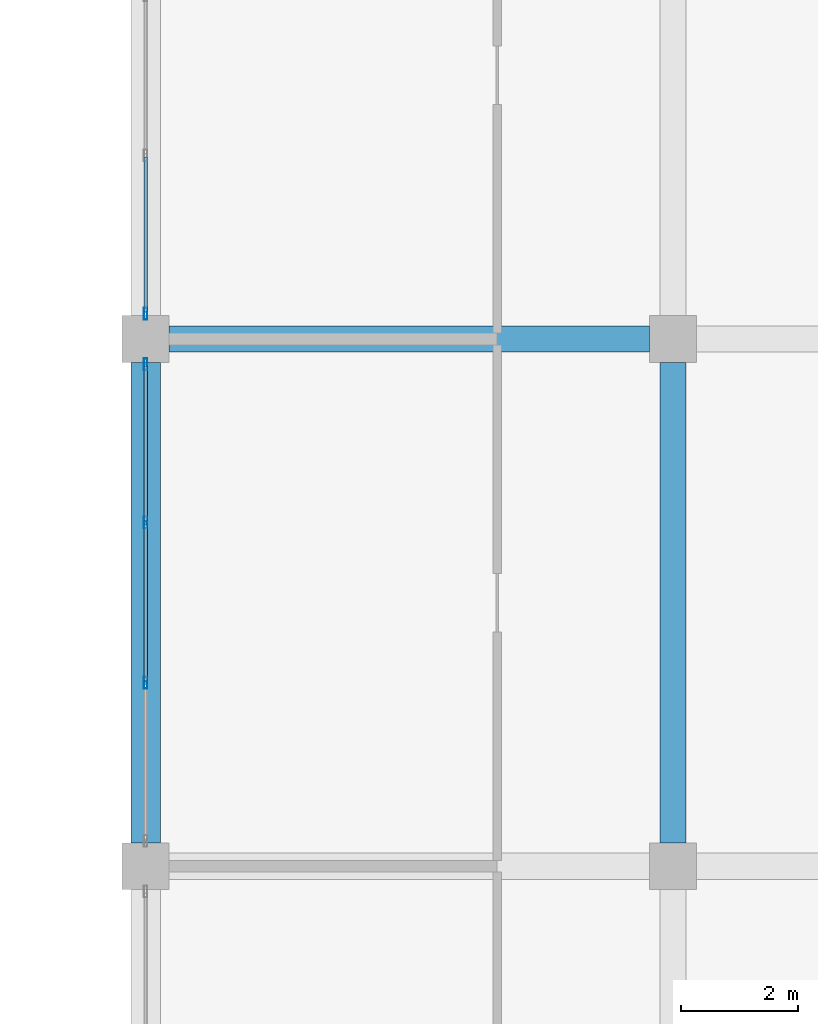
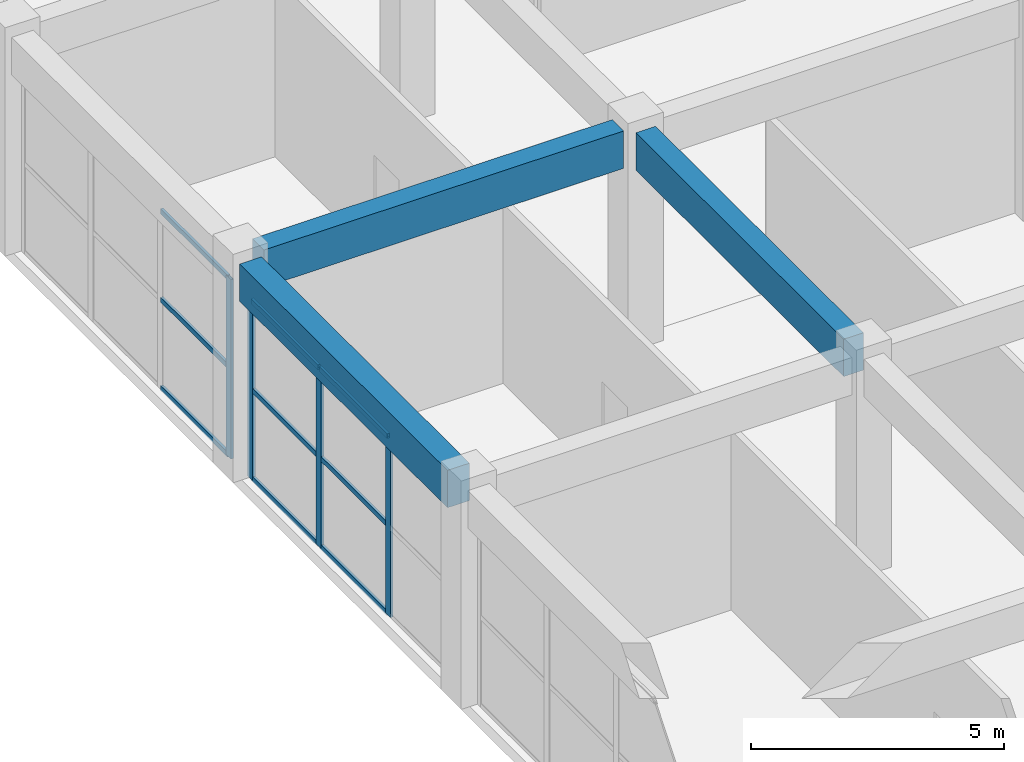
# One storey, part 204 of 437: 13 members, 3 beams, 2 elements without a shape of their own.
"""IFC4 building model written with IfcOpenShell, lengths in metres."""

from ifc_helpers import new_model, si_unit, direction, frame, origin, origin_2d, place, context, subcontext, project, spatial, rectangle, hollow_rectangle, extrude, material, layer, layer_set, material_profile, profile_set, type_object, element, aggregate, save


model = new_model("IFC4")

# Units and contexts
model_context = context("Model", 3, precision=1e-05, world=origin(), true_north=direction((0.0, 1.0)))
body_context = subcontext(model_context, "Body", "Model", "MODEL_VIEW")
ifc_project = project(units=[si_unit("LENGTHUNIT", "METRE"), si_unit("AREAUNIT", "SQUARE_METRE"), si_unit("VOLUMEUNIT", "CUBIC_METRE"), si_unit("PLANEANGLEUNIT", "RADIAN"), si_unit("MASSUNIT", "GRAM", prefix="KILO")], contexts=[model_context])

# Site, building, storey
site_placement = place(None, origin())
site = spatial("IfcSite", under=ifc_project, at=site_placement, CompositionType="ELEMENT")
building_placement = place(site_placement, origin())
building = spatial("IfcBuilding", under=site, at=building_placement, Name="Opaline Strait Convention Centre", CompositionType="ELEMENT")
storey_placement = place(building_placement, frame((0.0, 0.0, 11.5)))
storey = spatial("IfcBuildingStorey", under=building, at=storey_placement, Name="L02", CompositionType="ELEMENT", Elevation=11.5)

# Curtain wall, members
ifc_material_1 = material(Name="Aluminium framed double glazing", Category="aluminium")
ifc_layer = layer(ifc_material_1, 0.199951171875)
ifc_layer_set = layer_set([ifc_layer], Name="Aluminium framed double glazing")
curtain_wall_type = type_object("IfcCurtainWallType", Name="Curtain wall 3000 module unitised", PredefinedType="NOTDEFINED", material=ifc_layer_set)
curtain_wall_1_placement = place(storey_placement, origin())
curtain_wall_1 = element("IfcCurtainWall", 1, at=curtain_wall_1_placement, inside=storey, type_object=curtain_wall_type, Name="Curtain wall W L02 32/Q", PredefinedType="NOTDEFINED")
ifc_material_2 = material(Name="Aluminium alloy 6063", Category="aluminium")
ifc_material_profile_1 = material_profile(ifc_material_2, hollow_rectangle(XDim=0.06005859375, YDim=0.199951171875, WallThickness=0.00390625, at=origin_2d()), Name="MULLION 60x200x4")
ifc_profile_set_1 = profile_set([ifc_material_profile_1], Name="Aluminium alloy 6063")
member_type_1 = type_object("IfcMemberType", Name="Curtain wall mullion 60 x 200", PredefinedType="MULLION", material=ifc_profile_set_1)
member_1_placement = place(storey_placement, frame((279.0, 129.13330078125, 0.0), z_axis=(0.0, 0.0, 1.0), x_axis=(-1.0, 0.0, 0.0)))
member_1 = element("IfcMember", 2, at=member_1_placement, type_object=member_type_1, Name="MCWR1 mullion 2", PredefinedType="MULLION", context=body_context, shape_type="SweptSolid", body=[
    extrude(hollow_rectangle(XDim=0.06005859375, YDim=0.199951171875, WallThickness=0.00390625, at=origin_2d()), origin(), (0.0, 0.0, 1.0), 4.320068359375),
])
member_2_placement = place(storey_placement, frame((279.0, 131.86669921875, 0.0), z_axis=(0.0, 0.0, 1.0), x_axis=(-1.0, 0.0, 0.0)))
member_2 = element("IfcMember", 3, at=member_2_placement, type_object=member_type_1, Name="MCWR1 mullion 3", PredefinedType="MULLION", context=body_context, shape_type="SweptSolid", body=[
    extrude(hollow_rectangle(XDim=0.06005859375, YDim=0.199951171875, WallThickness=0.00390625, at=origin_2d()), origin(), (0.0, 0.0, 1.0), 4.320068359375),
])
member_3_placement = place(storey_placement, frame((279.0, 134.570068359375, 0.0), z_axis=(0.0, 0.0, 1.0), x_axis=(-1.0, 0.0, 0.0)))
member_3 = element("IfcMember", 4, at=member_3_placement, type_object=member_type_1, Name="MCWR1 mullion 4", PredefinedType="MULLION", context=body_context, shape_type="SweptSolid", body=[
    extrude(hollow_rectangle(XDim=0.06005859375, YDim=0.199951171875, WallThickness=0.00390625, at=origin_2d()), origin(), (0.0, 0.0, 1.0), 4.320068359375),
])

# Curtain wall, member
curtain_wall_2_placement = place(storey_placement, origin())
curtain_wall_2 = element("IfcCurtainWall", 5, at=curtain_wall_2_placement, inside=storey, type_object=curtain_wall_type, Name="Curtain wall W L02 32/R", PredefinedType="NOTDEFINED")
member_4_placement = place(storey_placement, frame((279.0, 135.429931640625, 0.0), z_axis=(0.0, 0.0, 1.0), x_axis=(-1.0, 0.0, 0.0)))
member_4 = element("IfcMember", 6, at=member_4_placement, type_object=member_type_1, Name="MCWR1 mullion 1", PredefinedType="MULLION", context=body_context, shape_type="SweptSolid", body=[
    extrude(hollow_rectangle(XDim=0.06005859375, YDim=0.199951171875, WallThickness=0.00390625, at=origin_2d()), origin(), (0.0, 0.0, 1.0), 4.320068359375),
])

# Member
ifc_material_profile_2 = material_profile(ifc_material_2, hollow_rectangle(XDim=0.06005859375, YDim=0.1201171875, WallThickness=0.0029296875, at=origin_2d()), Name="TRANSOM 60x120x3")
ifc_profile_set_2 = profile_set([ifc_material_profile_2], Name="Aluminium alloy 6063")
member_type_2 = type_object("IfcMemberType", Name="Curtain wall transom 60 x 120", PredefinedType="USERDEFINED", material=ifc_profile_set_2)
member_5_placement = place(storey_placement, frame((279.0, 129.163330078125, 0.030029296875), z_axis=(0.0, 1.0, 0.0), x_axis=(-1.0, 0.0, 0.0)))
member_5 = element("IfcMember", 7, at=member_5_placement, type_object=member_type_2, Name="MCWR1 transom 2.1", ObjectType="TRANSOM", PredefinedType="USERDEFINED", context=body_context, shape_type="SweptSolid", body=[
    extrude(hollow_rectangle(XDim=0.06005859375, YDim=0.1201171875, WallThickness=0.0029296875, at=origin_2d()), origin(), (0.0, 0.0, 1.0), 2.67333984375),
])

member_6_placement = place(storey_placement, frame((279.0, 129.163330078125, 2.159912109375), z_axis=(0.0, 1.0, 0.0), x_axis=(-1.0, 0.0, 0.0)))
member_6 = element("IfcMember", 8, at=member_6_placement, type_object=member_type_2, Name="MCWR1 transom 2.2", ObjectType="TRANSOM", PredefinedType="USERDEFINED", context=body_context, shape_type="SweptSolid", body=[
    extrude(hollow_rectangle(XDim=0.06005859375, YDim=0.1201171875, WallThickness=0.0029296875, at=origin_2d()), origin(), (0.0, 0.0, 1.0), 2.67333984375),
])

member_7_placement = place(storey_placement, frame((279.0, 129.163330078125, 4.2900390625), z_axis=(0.0, 1.0, 0.0), x_axis=(-1.0, 0.0, 0.0)))
member_7 = element("IfcMember", 9, at=member_7_placement, type_object=member_type_2, Name="MCWR1 transom 2.3", ObjectType="TRANSOM", PredefinedType="USERDEFINED", context=body_context, shape_type="SweptSolid", body=[
    extrude(hollow_rectangle(XDim=0.06005859375, YDim=0.1201171875, WallThickness=0.0029296875, at=origin_2d()), origin(), (0.0, 0.0, 1.0), 2.67333984375),
])

member_8_placement = place(storey_placement, frame((279.0, 131.896728515625, 0.030029296875), z_axis=(0.0, 1.0, 0.0), x_axis=(-1.0, 0.0, 0.0)))
member_8 = element("IfcMember", 10, at=member_8_placement, type_object=member_type_2, Name="MCWR1 transom 3.1", ObjectType="TRANSOM", PredefinedType="USERDEFINED", context=body_context, shape_type="SweptSolid", body=[
    extrude(hollow_rectangle(XDim=0.06005859375, YDim=0.1201171875, WallThickness=0.0029296875, at=origin_2d()), origin(), (0.0, 0.0, 1.0), 2.643310546875),
])

member_9_placement = place(storey_placement, frame((279.0, 131.896728515625, 2.159912109375), z_axis=(0.0, 1.0, 0.0), x_axis=(-1.0, 0.0, 0.0)))
member_9 = element("IfcMember", 11, at=member_9_placement, type_object=member_type_2, Name="MCWR1 transom 3.2", ObjectType="TRANSOM", PredefinedType="USERDEFINED", context=body_context, shape_type="SweptSolid", body=[
    extrude(hollow_rectangle(XDim=0.06005859375, YDim=0.1201171875, WallThickness=0.0029296875, at=origin_2d()), origin(), (0.0, 0.0, 1.0), 2.643310546875),
])

member_10_placement = place(storey_placement, frame((279.0, 131.896728515625, 4.2900390625), z_axis=(0.0, 1.0, 0.0), x_axis=(-1.0, 0.0, 0.0)))
member_10 = element("IfcMember", 12, at=member_10_placement, type_object=member_type_2, Name="MCWR1 transom 3.3", ObjectType="TRANSOM", PredefinedType="USERDEFINED", context=body_context, shape_type="SweptSolid", body=[
    extrude(hollow_rectangle(XDim=0.06005859375, YDim=0.1201171875, WallThickness=0.0029296875, at=origin_2d()), origin(), (0.0, 0.0, 1.0), 2.643310546875),
])

aggregate(curtain_wall_1, [member_1, member_2, member_3, member_5, member_6, member_7, member_8, member_9, member_10])

member_11_placement = place(storey_placement, frame((279.0, 135.4599609375, 0.030029296875), z_axis=(0.0, 1.0, 0.0), x_axis=(-1.0, 0.0, 0.0)))
member_11 = element("IfcMember", 13, at=member_11_placement, type_object=member_type_2, Name="MCWR1 transom 1.1", ObjectType="TRANSOM", PredefinedType="USERDEFINED", context=body_context, shape_type="SweptSolid", body=[
    extrude(hollow_rectangle(XDim=0.06005859375, YDim=0.1201171875, WallThickness=0.0029296875, at=origin_2d()), origin(), (0.0, 0.0, 1.0), 2.643310546875),
])

member_12_placement = place(storey_placement, frame((279.0, 135.4599609375, 2.159912109375), z_axis=(0.0, 1.0, 0.0), x_axis=(-1.0, 0.0, 0.0)))
member_12 = element("IfcMember", 14, at=member_12_placement, type_object=member_type_2, Name="MCWR1 transom 1.2", ObjectType="TRANSOM", PredefinedType="USERDEFINED", context=body_context, shape_type="SweptSolid", body=[
    extrude(hollow_rectangle(XDim=0.06005859375, YDim=0.1201171875, WallThickness=0.0029296875, at=origin_2d()), origin(), (0.0, 0.0, 1.0), 2.643310546875),
])

member_13_placement = place(storey_placement, frame((279.0, 135.4599609375, 4.2900390625), z_axis=(0.0, 1.0, 0.0), x_axis=(-1.0, 0.0, 0.0)))
member_13 = element("IfcMember", 15, at=member_13_placement, type_object=member_type_2, Name="MCWR1 transom 1.3", ObjectType="TRANSOM", PredefinedType="USERDEFINED", context=body_context, shape_type="SweptSolid", body=[
    extrude(hollow_rectangle(XDim=0.06005859375, YDim=0.1201171875, WallThickness=0.0029296875, at=origin_2d()), origin(), (0.0, 0.0, 1.0), 2.643310546875),
])

aggregate(curtain_wall_2, [member_4, member_11, member_12, member_13])

# Beams
ifc_material_3 = material(Name="Concrete C35", Category="concrete")
ifc_material_profile_3 = material_profile(ifc_material_3, rectangle(XDim=0.449951171875, YDim=0.89990234375, at=origin_2d()), Name="RC 450x900")
ifc_profile_set_3 = profile_set([ifc_material_profile_3], Name="Concrete C35")
beam_type_1 = type_object("IfcBeamType", Name="RC beam 450x900 C35", PredefinedType="BEAM", material=ifc_profile_set_3)
for number, where, z_axis, x_axis, name in (
    (16, (279.39990234375, 135.0, 4.77001953125), (1.0, 0.0, 0.0), (0.0, 1.0, 0.0), "XB1 L02 32/R-33/R"),
    (17, (288.0, 126.39990234375, 4.77001953125), (0.0, 1.0, 0.0), (-1.0, 0.0, 0.0), "XB1 L02 33/Q-33/R"),
):
    element("IfcBeam", number, at=place(storey_placement, frame(where, z_axis=z_axis, x_axis=x_axis)), inside=storey, type_object=beam_type_1, Name=name, PredefinedType="BEAM", context=body_context, shape_type="SweptSolid", body=[
        extrude(rectangle(XDim=0.449951171875, YDim=0.89990234375, at=origin_2d()), origin(), (0.0, 0.0, 1.0), 8.2001953125),
    ])
ifc_material_profile_4 = material_profile(ifc_material_3, rectangle(XDim=0.5, YDim=0.89990234375, at=origin_2d()), Name="RC 500x900")
ifc_profile_set_4 = profile_set([ifc_material_profile_4], Name="Concrete C35")
beam_type_2 = type_object("IfcBeamType", Name="RC edge beam 500x900 C35", PredefinedType="BEAM", material=ifc_profile_set_4)
beam_placement = place(storey_placement, frame((279.0, 126.39990234375, 4.77001953125), z_axis=(0.0, 1.0, 0.0), x_axis=(-1.0, 0.0, 0.0)))
element("IfcBeam", 18, at=beam_placement, inside=storey, type_object=beam_type_2, Name="MRB2 L02 32/Q-32/R", PredefinedType="BEAM", context=body_context, shape_type="SweptSolid", body=[
    extrude(rectangle(XDim=0.5, YDim=0.89990234375, at=origin_2d()), origin(), (0.0, 0.0, 1.0), 8.2001953125),
])

save(model, "model.ifc")
